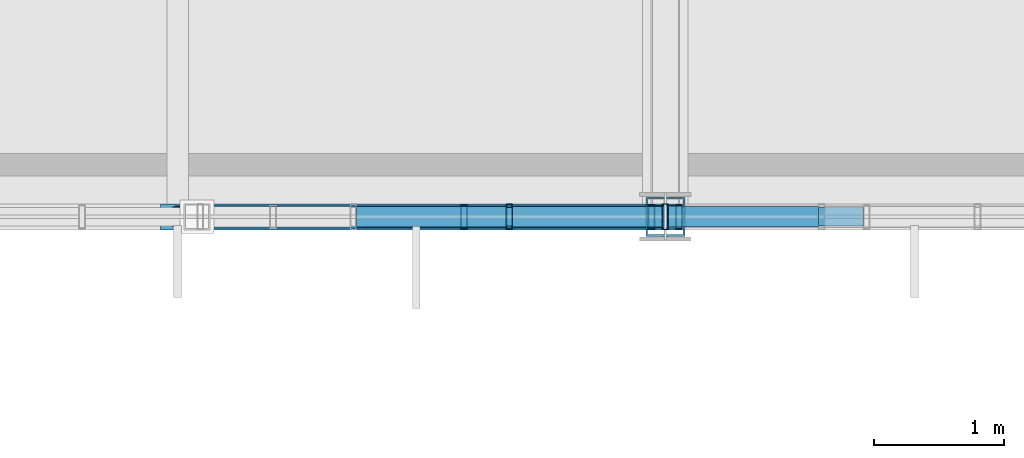
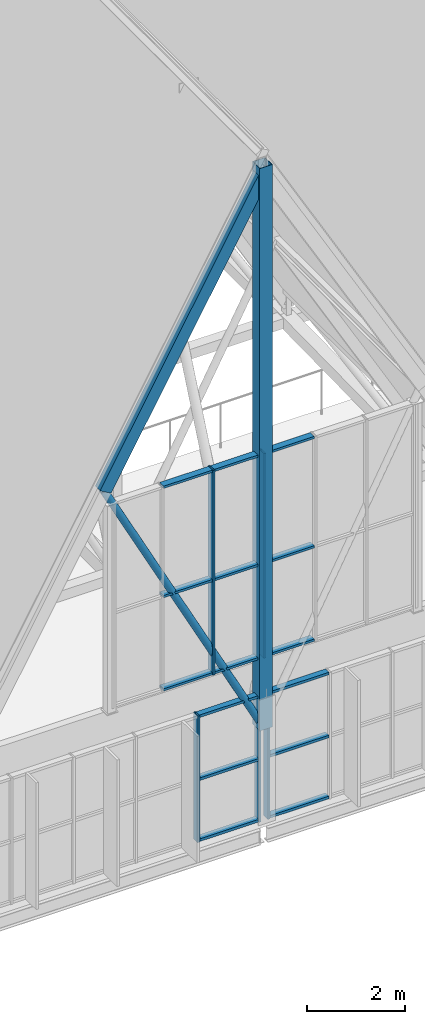
# One storey, part 121 of 324: 23 members, 3 elements without a shape of their own.
"""IFC4 building model written with IfcOpenShell, lengths in metres."""

from ifc_helpers import new_model, si_unit, direction, frame, origin, origin_2d, place, context, subcontext, project, spatial, hollow_rectangle, hollow_circle, extrude, material, layer, layer_set, material_profile, profile_set, type_object, element, aggregate, save


model = new_model("IFC4")

# Units and contexts
model_context = context("Model", 3, precision=1e-05, world=origin(), true_north=direction((0.0, 1.0)))
body_context = subcontext(model_context, "Body", "Model", "MODEL_VIEW")
ifc_project = project(units=[si_unit("LENGTHUNIT", "METRE"), si_unit("AREAUNIT", "SQUARE_METRE"), si_unit("VOLUMEUNIT", "CUBIC_METRE"), si_unit("PLANEANGLEUNIT", "RADIAN"), si_unit("MASSUNIT", "GRAM", prefix="KILO")], contexts=[model_context])

# Site, building, storey
site_placement = place(None, origin())
site = spatial("IfcSite", under=ifc_project, at=site_placement, CompositionType="ELEMENT")
building_placement = place(site_placement, origin())
building = spatial("IfcBuilding", under=site, at=building_placement, Name="Solvenia Promenade Tram Depot", CompositionType="ELEMENT")
storey_placement = place(building_placement, frame((0.0, 0.0, 4.5)))
storey = spatial("IfcBuildingStorey", under=building, at=storey_placement, Name="L01", CompositionType="ELEMENT", Elevation=4.5)

# Curtain wall, members
ifc_material_1 = material(Name="Anodized aluminium AW-6063 T6", Category="aluminium")
ifc_layer_1 = layer(ifc_material_1, 0.159912109375, Name="Anodized aluminium AW-6063 T6", Category="aluminium")
ifc_layer_set_1 = layer_set([ifc_layer_1], Name="Anodized aluminium AW-6063 T6")
curtain_wall_type_1 = type_object("IfcCurtainWallType", Name="CW-Channel-1500", PredefinedType="NOTDEFINED", material=ifc_layer_set_1)
curtain_wall_1_placement = place(storey_placement, origin())
curtain_wall_1 = element("IfcCurtainWall", 1, at=curtain_wall_1_placement, inside=storey, type_object=curtain_wall_type_1, Name="Curtain Wall CW-V1S1-03", PredefinedType="NOTDEFINED")
ifc_material_profile_1 = material_profile(ifc_material_1, hollow_rectangle(XDim=0.179931640625, YDim=0.050048828125, WallThickness=0.00390625, at=origin_2d()), Name="ALU-M2", Category="aluminium")
ifc_profile_set_1 = profile_set([ifc_material_profile_1], Name="Anodized aluminium AW-6063 T6")
member_type_1 = type_object("IfcMemberType", Name="CWM-Mullion-2", PredefinedType="MULLION", material=ifc_profile_set_1)
member_1_placement = place(storey_placement, frame((65.951904296875, 66.0, 0.0), z_axis=(0.0, 0.0, 1.0), x_axis=(0.0, 1.0, 0.0)))
member_1 = element("IfcMember", 2, at=member_1_placement, type_object=member_type_1, Name="CW-2 mullion 5", PredefinedType="MULLION", context=body_context, shape_type="SweptSolid", body=[
    extrude(hollow_rectangle(XDim=0.179931640625, YDim=0.050048828125, WallThickness=0.00390625, at=origin_2d()), origin(), (0.0, 0.0, 1.0), 3.14990234375),
])
member_2_placement = place(storey_placement, frame((67.39501953125, 66.0, 0.0), z_axis=(0.0, 0.0, 1.0), x_axis=(0.0, 1.0, 0.0)))
member_2 = element("IfcMember", 3, at=member_2_placement, type_object=member_type_1, Name="CW-2 mullion 6", PredefinedType="MULLION", context=body_context, shape_type="SweptSolid", body=[
    extrude(hollow_rectangle(XDim=0.179931640625, YDim=0.050048828125, WallThickness=0.00390625, at=origin_2d()), origin(), (0.0, 0.0, 1.0), 3.14990234375),
])

# Curtain wall, member
curtain_wall_2_placement = place(storey_placement, origin())
curtain_wall_2 = element("IfcCurtainWall", 4, at=curtain_wall_2_placement, inside=storey, type_object=curtain_wall_type_1, Name="Curtain Wall CW-V1S1-04", PredefinedType="NOTDEFINED")
member_3_placement = place(storey_placement, frame((67.60498046875, 66.0, 0.0), z_axis=(0.0, 0.0, 1.0), x_axis=(0.0, 1.0, 0.0)))
member_3 = element("IfcMember", 5, at=member_3_placement, type_object=member_type_1, Name="CW-2 mullion 1", PredefinedType="MULLION", context=body_context, shape_type="SweptSolid", body=[
    extrude(hollow_rectangle(XDim=0.179931640625, YDim=0.050048828125, WallThickness=0.00390625, at=origin_2d()), origin(), (0.0, 0.0, 1.0), 3.14990234375),
])

# Curtain wall, members
ifc_layer_2 = layer(ifc_material_1, 0.14990234375, Name="Anodized aluminium AW-6063 T6", Category="aluminium")
ifc_layer_set_2 = layer_set([ifc_layer_2], Name="Anodized aluminium AW-6063 T6")
curtain_wall_type_2 = type_object("IfcCurtainWallType", Name="CW-Gable-1200", PredefinedType="NOTDEFINED", material=ifc_layer_set_2)
curtain_wall_3_placement = place(storey_placement, origin())
curtain_wall_3 = element("IfcCurtainWall", 6, at=curtain_wall_3_placement, inside=storey, type_object=curtain_wall_type_2, Name="South Zigzag Gable 05 Peak Glazing", PredefinedType="NOTDEFINED")
ifc_material_profile_2 = material_profile(ifc_material_1, hollow_rectangle(XDim=0.199951171875, YDim=0.048095703125, WallThickness=0.00390625, at=origin_2d()), Name="ALU-M3", Category="aluminium")
ifc_profile_set_2 = profile_set([ifc_material_profile_2], Name="Anodized aluminium AW-6063 T6")
member_type_2 = type_object("IfcMemberType", Name="CWM-Mullion-3", PredefinedType="MULLION", material=ifc_profile_set_2)
member_4_placement = place(storey_placement, frame((66.300048828125, 66.0, 4.050048828125), z_axis=(0.0, 0.0, 1.0), x_axis=(0.0, 1.0, 0.0)))
member_4 = element("IfcMember", 7, at=member_4_placement, type_object=member_type_2, Name="CW-3 mullion 3", PredefinedType="MULLION", context=body_context, shape_type="SweptSolid", body=[
    extrude(hollow_rectangle(XDim=0.199951171875, YDim=0.048095703125, WallThickness=0.00390625, at=origin_2d()), origin(), (0.0, 0.0, 1.0), 5.099853515625),
])
member_5_placement = place(storey_placement, frame((67.5, 66.0, 4.050048828125), z_axis=(0.0, 0.0, 1.0), x_axis=(0.0, 1.0, 0.0)))
member_5 = element("IfcMember", 8, at=member_5_placement, type_object=member_type_2, Name="CW-3 mullion 4", PredefinedType="MULLION", context=body_context, shape_type="SweptSolid", body=[
    extrude(hollow_rectangle(XDim=0.199951171875, YDim=0.048095703125, WallThickness=0.00390625, at=origin_2d()), origin(), (0.0, 0.0, 1.0), 5.099853515625),
])

# Member
ifc_material_profile_3 = material_profile(ifc_material_1, hollow_rectangle(XDim=0.139892578125, YDim=0.06494140625, WallThickness=0.00390625, at=origin_2d()), Name="ALU-T2", Category="aluminium")
ifc_profile_set_3 = profile_set([ifc_material_profile_3], Name="Anodized aluminium AW-6063 T6")
member_type_3 = type_object("IfcMemberType", Name="CWT-Transom-2", PredefinedType="USERDEFINED", material=ifc_profile_set_3)
member_6_placement = place(storey_placement, frame((65.97705078125, 66.0, 0.032470703125), z_axis=(1.0, 0.0, 0.0), x_axis=(0.0, 1.0, 0.0)))
member_6 = element("IfcMember", 9, at=member_6_placement, type_object=member_type_3, Name="CW-2 transom 5.1", ObjectType="TRANSOM", PredefinedType="USERDEFINED", context=body_context, shape_type="SweptSolid", body=[
    extrude(hollow_rectangle(XDim=0.139892578125, YDim=0.06494140625, WallThickness=0.00390625, at=origin_2d()), origin(), (0.0, 0.0, 1.0), 1.39306640625),
])

member_7_placement = place(storey_placement, frame((65.97705078125, 66.0, 1.550048828125), z_axis=(1.0, 0.0, 0.0), x_axis=(0.0, 1.0, 0.0)))
member_7 = element("IfcMember", 10, at=member_7_placement, type_object=member_type_3, Name="CW-2 transom 5.2", ObjectType="TRANSOM", PredefinedType="USERDEFINED", context=body_context, shape_type="SweptSolid", body=[
    extrude(hollow_rectangle(XDim=0.139892578125, YDim=0.06494140625, WallThickness=0.00390625, at=origin_2d()), origin(), (0.0, 0.0, 1.0), 1.39306640625),
])

member_8_placement = place(storey_placement, frame((65.97705078125, 66.0, 3.117431640625), z_axis=(1.0, 0.0, 0.0), x_axis=(0.0, 1.0, 0.0)))
member_8 = element("IfcMember", 11, at=member_8_placement, type_object=member_type_3, Name="CW-2 transom 5.3", ObjectType="TRANSOM", PredefinedType="USERDEFINED", context=body_context, shape_type="SweptSolid", body=[
    extrude(hollow_rectangle(XDim=0.139892578125, YDim=0.06494140625, WallThickness=0.00390625, at=origin_2d()), origin(), (0.0, 0.0, 1.0), 1.39306640625),
])

aggregate(curtain_wall_1, [member_1, member_2, member_6, member_7, member_8])

member_9_placement = place(storey_placement, frame((67.6298828125, 66.0, 0.032470703125), z_axis=(1.0, 0.0, 0.0), x_axis=(0.0, 1.0, 0.0)))
member_9 = element("IfcMember", 12, at=member_9_placement, type_object=member_type_3, Name="CW-2 transom 1.1", ObjectType="TRANSOM", PredefinedType="USERDEFINED", context=body_context, shape_type="SweptSolid", body=[
    extrude(hollow_rectangle(XDim=0.139892578125, YDim=0.06494140625, WallThickness=0.00390625, at=origin_2d()), origin(), (0.0, 0.0, 1.0), 1.39306640625),
])

member_10_placement = place(storey_placement, frame((67.6298828125, 66.0, 1.550048828125), z_axis=(1.0, 0.0, 0.0), x_axis=(0.0, 1.0, 0.0)))
member_10 = element("IfcMember", 13, at=member_10_placement, type_object=member_type_3, Name="CW-2 transom 1.2", ObjectType="TRANSOM", PredefinedType="USERDEFINED", context=body_context, shape_type="SweptSolid", body=[
    extrude(hollow_rectangle(XDim=0.139892578125, YDim=0.06494140625, WallThickness=0.00390625, at=origin_2d()), origin(), (0.0, 0.0, 1.0), 1.39306640625),
])

member_11_placement = place(storey_placement, frame((67.6298828125, 66.0, 3.117431640625), z_axis=(1.0, 0.0, 0.0), x_axis=(0.0, 1.0, 0.0)))
member_11 = element("IfcMember", 14, at=member_11_placement, type_object=member_type_3, Name="CW-2 transom 1.3", ObjectType="TRANSOM", PredefinedType="USERDEFINED", context=body_context, shape_type="SweptSolid", body=[
    extrude(hollow_rectangle(XDim=0.139892578125, YDim=0.06494140625, WallThickness=0.00390625, at=origin_2d()), origin(), (0.0, 0.0, 1.0), 1.39306640625),
])

aggregate(curtain_wall_2, [member_3, member_9, member_10, member_11])

ifc_material_profile_4 = material_profile(ifc_material_1, hollow_rectangle(XDim=0.159912109375, YDim=0.05810546875, WallThickness=0.00390625, at=origin_2d()), Name="ALU-T3", Category="aluminium")
ifc_profile_set_4 = profile_set([ifc_material_profile_4], Name="Anodized aluminium AW-6063 T6")
member_type_4 = type_object("IfcMemberType", Name="CWT-Transom-3", PredefinedType="USERDEFINED", material=ifc_profile_set_4)
member_12_placement = place(storey_placement, frame((65.1240234375, 66.0, 4.0791015625), z_axis=(1.0, 0.0, 0.0), x_axis=(0.0, 1.0, 0.0)))
member_12 = element("IfcMember", 15, at=member_12_placement, type_object=member_type_4, Name="CW-3 transom 2.1", ObjectType="TRANSOM", PredefinedType="USERDEFINED", context=body_context, shape_type="SweptSolid", body=[
    extrude(hollow_rectangle(XDim=0.159912109375, YDim=0.05810546875, WallThickness=0.00390625, at=origin_2d()), origin(), (0.0, 0.0, 1.0), 1.15185546875),
])

member_13_placement = place(storey_placement, frame((65.1240234375, 66.0, 6.39990234375), z_axis=(1.0, 0.0, 0.0), x_axis=(0.0, 1.0, 0.0)))
member_13 = element("IfcMember", 16, at=member_13_placement, type_object=member_type_4, Name="CW-3 transom 2.2", ObjectType="TRANSOM", PredefinedType="USERDEFINED", context=body_context, shape_type="SweptSolid", body=[
    extrude(hollow_rectangle(XDim=0.159912109375, YDim=0.05810546875, WallThickness=0.00390625, at=origin_2d()), origin(), (0.0, 0.0, 1.0), 1.15185546875),
])

member_14_placement = place(storey_placement, frame((65.1240234375, 66.0, 9.12109375), z_axis=(1.0, 0.0, 0.0), x_axis=(0.0, 1.0, 0.0)))
member_14 = element("IfcMember", 17, at=member_14_placement, type_object=member_type_4, Name="CW-3 transom 2.3", ObjectType="TRANSOM", PredefinedType="USERDEFINED", context=body_context, shape_type="SweptSolid", body=[
    extrude(hollow_rectangle(XDim=0.159912109375, YDim=0.05810546875, WallThickness=0.00390625, at=origin_2d()), origin(), (0.0, 0.0, 1.0), 1.15185546875),
])

member_15_placement = place(storey_placement, frame((66.323974609375, 66.0, 4.0791015625), z_axis=(1.0, 0.0, 0.0), x_axis=(0.0, 1.0, 0.0)))
member_15 = element("IfcMember", 18, at=member_15_placement, type_object=member_type_4, Name="CW-3 transom 3.1", ObjectType="TRANSOM", PredefinedType="USERDEFINED", context=body_context, shape_type="SweptSolid", body=[
    extrude(hollow_rectangle(XDim=0.159912109375, YDim=0.05810546875, WallThickness=0.00390625, at=origin_2d()), origin(), (0.0, 0.0, 1.0), 1.152099609375),
])

member_16_placement = place(storey_placement, frame((66.323974609375, 66.0, 6.39990234375), z_axis=(1.0, 0.0, 0.0), x_axis=(0.0, 1.0, 0.0)))
member_16 = element("IfcMember", 19, at=member_16_placement, type_object=member_type_4, Name="CW-3 transom 3.2", ObjectType="TRANSOM", PredefinedType="USERDEFINED", context=body_context, shape_type="SweptSolid", body=[
    extrude(hollow_rectangle(XDim=0.159912109375, YDim=0.05810546875, WallThickness=0.00390625, at=origin_2d()), origin(), (0.0, 0.0, 1.0), 1.152099609375),
])

member_17_placement = place(storey_placement, frame((66.323974609375, 66.0, 9.12109375), z_axis=(1.0, 0.0, 0.0), x_axis=(0.0, 1.0, 0.0)))
member_17 = element("IfcMember", 20, at=member_17_placement, type_object=member_type_4, Name="CW-3 transom 3.3", ObjectType="TRANSOM", PredefinedType="USERDEFINED", context=body_context, shape_type="SweptSolid", body=[
    extrude(hollow_rectangle(XDim=0.159912109375, YDim=0.05810546875, WallThickness=0.00390625, at=origin_2d()), origin(), (0.0, 0.0, 1.0), 1.152099609375),
])

member_18_placement = place(storey_placement, frame((67.52392578125, 66.0, 4.0791015625), z_axis=(1.0, 0.0, 0.0), x_axis=(0.0, 1.0, 0.0)))
member_18 = element("IfcMember", 21, at=member_18_placement, type_object=member_type_4, Name="CW-3 transom 4.1", ObjectType="TRANSOM", PredefinedType="USERDEFINED", context=body_context, shape_type="SweptSolid", body=[
    extrude(hollow_rectangle(XDim=0.159912109375, YDim=0.05810546875, WallThickness=0.00390625, at=origin_2d()), origin(), (0.0, 0.0, 1.0), 1.152099609375),
])

member_19_placement = place(storey_placement, frame((67.52392578125, 66.0, 6.39990234375), z_axis=(1.0, 0.0, 0.0), x_axis=(0.0, 1.0, 0.0)))
member_19 = element("IfcMember", 22, at=member_19_placement, type_object=member_type_4, Name="CW-3 transom 4.2", ObjectType="TRANSOM", PredefinedType="USERDEFINED", context=body_context, shape_type="SweptSolid", body=[
    extrude(hollow_rectangle(XDim=0.159912109375, YDim=0.05810546875, WallThickness=0.00390625, at=origin_2d()), origin(), (0.0, 0.0, 1.0), 1.152099609375),
])

member_20_placement = place(storey_placement, frame((67.52392578125, 66.0, 9.12109375), z_axis=(1.0, 0.0, 0.0), x_axis=(0.0, 1.0, 0.0)))
member_20 = element("IfcMember", 23, at=member_20_placement, type_object=member_type_4, Name="CW-3 transom 4.3", ObjectType="TRANSOM", PredefinedType="USERDEFINED", context=body_context, shape_type="SweptSolid", body=[
    extrude(hollow_rectangle(XDim=0.159912109375, YDim=0.05810546875, WallThickness=0.00390625, at=origin_2d()), origin(), (0.0, 0.0, 1.0), 1.152099609375),
])

aggregate(curtain_wall_3, [member_4, member_5, member_12, member_13, member_14, member_15, member_16, member_17, member_18, member_19, member_20])

# Members
ifc_material_2 = material(Name="Structural steel ASTM A500 Gr. C", Category="steel")
ifc_material_profile_5 = material_profile(ifc_material_2, hollow_rectangle(XDim=0.199951171875, YDim=0.300048828125, WallThickness=0.012451171875, at=origin_2d()), Name="HSS300x200x12.5", Category="steel")
ifc_profile_set_5 = profile_set([ifc_material_profile_5], Name="Structural steel ASTM A500 Gr. C")
member_type_5 = type_object("IfcMemberType", Name="Chord-HSS300x200x12", PredefinedType="CHORD", material=ifc_profile_set_5)
member_21_placement = place(storey_placement, frame((63.75, 66.0, 9.501220703125), z_axis=(0.494861595532, 0.0, 0.868971806946), x_axis=(0.0, 1.0, 0.0)))
element("IfcMember", 24, at=member_21_placement, inside=storey, type_object=member_type_5, Name="Zigzag Gable 05 West Upper Rafter", PredefinedType="CHORD", context=body_context, shape_type="SweptSolid", body=[
    extrude(hollow_rectangle(XDim=0.199951171875, YDim=0.300048828125, WallThickness=0.012451171875, at=origin_2d()), origin(), (0.0, 0.0, 1.0), 7.577880859375),
])
ifc_material_profile_6 = material_profile(ifc_material_2, hollow_rectangle(XDim=0.300048828125, YDim=0.300048828125, WallThickness=0.012451171875, at=origin_2d()), Name="HSS300x300x12.5", Category="steel")
ifc_profile_set_6 = profile_set([ifc_material_profile_6], Name="Structural steel ASTM A500 Gr. C")
member_type_6 = type_object("IfcMemberType", Name="Chord-HSS300x300x12", PredefinedType="CHORD", material=ifc_profile_set_6)
member_22_placement = place(storey_placement, frame((67.5, 66.0, 2.320068359375), z_axis=(0.0, 0.0, 1.0), x_axis=(1.0, 0.0, 0.0)))
element("IfcMember", 25, at=member_22_placement, inside=storey, type_object=member_type_6, Name="Arched Truss T10 S End Post", PredefinedType="CHORD", context=body_context, shape_type="SweptSolid", body=[
    extrude(hollow_rectangle(XDim=0.300048828125, YDim=0.300048828125, WallThickness=0.012451171875, at=origin_2d()), origin(), (0.0, 0.0, 1.0), 14.0),
])
ifc_material_profile_7 = material_profile(ifc_material_2, hollow_circle(Radius=0.084228515625, WallThickness=0.008056640625, at=origin_2d()), Name="CHS168.3x8", Category="steel")
ifc_profile_set_7 = profile_set([ifc_material_profile_7], Name="Structural steel ASTM A500 Gr. C")
member_type_7 = type_object("IfcMemberType", Name="WebDiag-CHS168x8", PredefinedType="BRACE", material=ifc_profile_set_7)
member_23_placement = place(storey_placement, frame((67.5, 66.0, 2.320068359375), z_axis=(-0.462887306423, 0.0, 0.886417137443), x_axis=(0.0, -1.0, 0.0)))
element("IfcMember", 26, at=member_23_placement, inside=storey, type_object=member_type_7, Name="Zigzag Gable 05 West Knee Strut", PredefinedType="BRACE", context=body_context, shape_type="SweptSolid", body=[
    extrude(hollow_circle(Radius=0.084228515625, WallThickness=0.008056640625, at=origin_2d()), origin(), (0.0, 0.0, 1.0), 8.101318359375),
])

save(model, "model.ifc")
